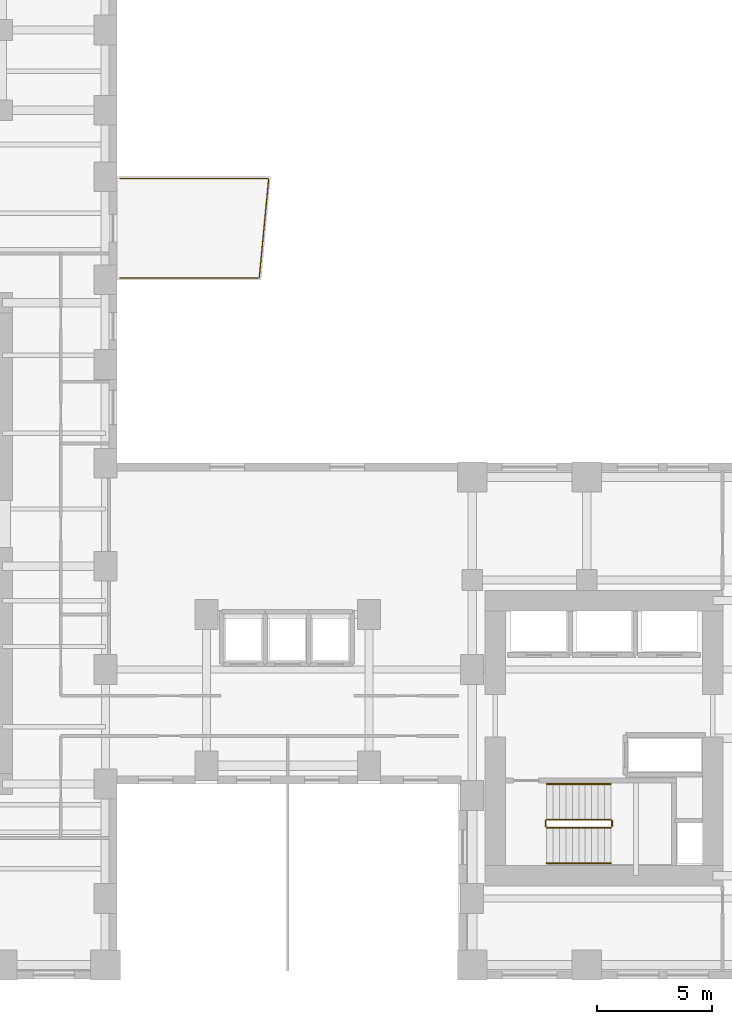
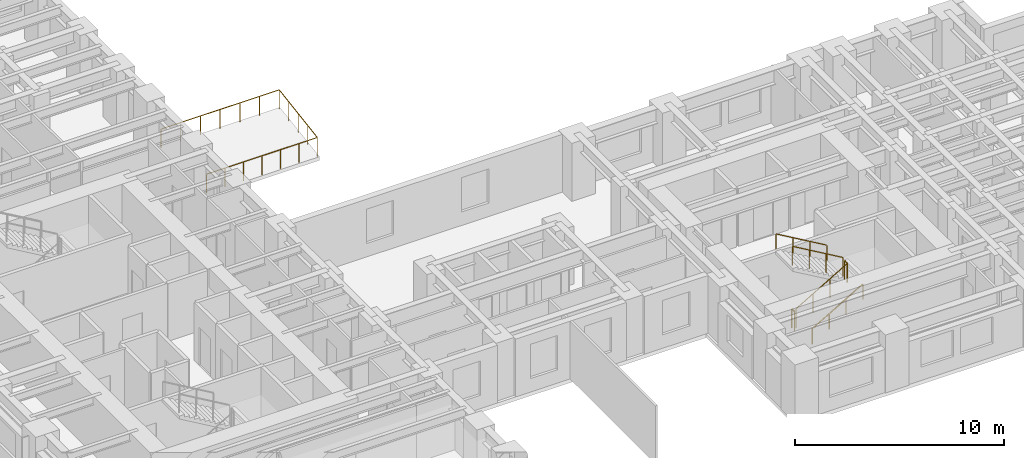
# One storey, part 11 of 11: 7 railings.
"""IFC4 building model written with IfcOpenShell, lengths in metres."""

from ifc_helpers import new_model, si_unit, direction, frame, origin, origin_2d, place, context, subcontext, project, spatial, circle, extrude, source, transform, mapped, material, layer, layer_set, type_object, element, save


model = new_model("IFC4")

# Units and contexts
model_context = context("Model", 3, precision=1e-05, world=origin(), true_north=direction((0.0, 1.0)))
body_context = subcontext(model_context, "Body", "Model", "MODEL_VIEW")
ifc_project = project(units=[si_unit("LENGTHUNIT", "METRE"), si_unit("AREAUNIT", "SQUARE_METRE"), si_unit("VOLUMEUNIT", "CUBIC_METRE"), si_unit("PLANEANGLEUNIT", "RADIAN"), si_unit("MASSUNIT", "GRAM", prefix="KILO")], contexts=[model_context])

# Site, building, storey
site_placement = place(None, origin())
site = spatial("IfcSite", under=ifc_project, at=site_placement, CompositionType="ELEMENT")
building_placement = place(site_placement, origin())
building = spatial("IfcBuilding", under=site, at=building_placement, Name="Kharzan Plaza Tower", CompositionType="ELEMENT")
storey_placement = place(building_placement, frame((0.0, 0.0, 40.5)))
storey = spatial("IfcBuildingStorey", under=building, at=storey_placement, Name="L10", CompositionType="ELEMENT", Elevation=40.5)

# Railings
ifc_material_1 = material(Name="Painted Galvanized Architectural Steel", Category="steel")
ifc_layer_1 = layer(ifc_material_1, 0.074951171875)
ifc_layer_set_1 = layer_set([ifc_layer_1], Name="Painted Galvanized Architectural Steel")
railing_type_1 = type_object("IfcRailingType", Name="RL-GUARD-1120", PredefinedType="BALUSTRADE", material=ifc_layer_set_1)
shared_shape_1 = source(origin(), body_context, "Body", "SweptSolid", [
    extrude(circle(Radius=0.02392578125, at=origin_2d()), frame((0.0, 0.0263671875, 1.09619140625), z_axis=(0.0, 1.0, 0.0), x_axis=(-1.0, 0.0, 0.0)), (0.0, 0.0, 1.0), 0.197021484375),
    extrude(circle(Radius=0.02099609375, at=origin_2d()), origin(), (0.0, 0.0, 1.0), 1.072021484375),
    extrude(circle(Radius=0.02099609375, at=origin_2d()), frame((0.0, 0.25, 0.0)), (0.0, 0.0, 1.0), 1.072021484375),
])
for number, where, name in (
    (1, (41.10009765625, 6.64990234375, 1.800048828125), "L10 ST-3 stair guard 2"),
    (2, (38.199951171875, 6.64990234375, 0.0), "L10 ST-3 stair guard 4"),
):
    element("IfcRailing", number, at=place(storey_placement, frame(where)), inside=storey, type_object=railing_type_1, Name=name, PredefinedType="BALUSTRADE", context=body_context, shape_type="MappedRepresentation", body=[
        mapped(shared_shape_1, transform((0.0, 0.0, 0.0), x_axis=(1.0, 0.0, 0.0), y_axis=(0.0, 1.0, 0.0), z_axis=(0.0, 0.0, 1.0))),
    ])
shared_shape_2 = source(origin(), body_context, "Body", "SweptSolid", [
    extrude(circle(Radius=0.02392578125, at=origin_2d()), frame((0.02294921875, 0.0, 1.109375), z_axis=(0.863360870873, 0.0, 0.504586966384), x_axis=(0.0, 1.0, 0.0)), (0.0, 0.0, 1.0), 3.190185546875),
    extrude(circle(Radius=0.02099609375, at=origin_2d()), origin(), (0.0, 0.0, 1.0), 1.072021484375),
    extrude(circle(Radius=0.02099609375, at=origin_2d()), frame((0.933349609375, 0.0, 0.54541015625)), (0.0, 0.0, 1.0), 1.072021484375),
    extrude(circle(Radius=0.02099609375, at=origin_2d()), frame((1.86669921875, 0.0, 1.091064453125)), (0.0, 0.0, 1.0), 1.072021484375),
    extrude(circle(Radius=0.02099609375, at=origin_2d()), frame((2.800048828125, 0.0, 1.636474609375)), (0.0, 0.0, 1.0), 1.072021484375),
])
railing_1_placement = place(storey_placement, frame((38.25, 6.60009765625, 0.16357421875)))
element("IfcRailing", 3, at=railing_1_placement, inside=storey, type_object=railing_type_1, Name="L10 ST-3 stair guard 1", PredefinedType="BALUSTRADE", context=body_context, shape_type="MappedRepresentation", body=[
    mapped(shared_shape_2, transform((0.0, 0.0, 0.0), x_axis=(1.0, 0.0, 0.0), y_axis=(0.0, 1.0, 0.0), z_axis=(0.0, 0.0, 1.0))),
])
shared_shape_3 = source(origin(), body_context, "Body", "SweptSolid", [
    extrude(circle(Radius=0.02392578125, at=origin_2d()), frame((-0.02294921875, 0.0, 1.109375), z_axis=(-0.863360870873, 0.0, 0.504586966384), x_axis=(0.0, -1.0, 0.0)), (0.0, 0.0, 1.0), 3.190185546875),
    extrude(circle(Radius=0.02099609375, at=origin_2d()), origin(), (0.0, 0.0, 1.0), 1.072021484375),
    extrude(circle(Radius=0.02099609375, at=origin_2d()), frame((-0.933349609375, 0.0, 0.54541015625)), (0.0, 0.0, 1.0), 1.072021484375),
    extrude(circle(Radius=0.02099609375, at=origin_2d()), frame((-1.86669921875, 0.0, 1.091064453125)), (0.0, 0.0, 1.0), 1.072021484375),
    extrude(circle(Radius=0.02099609375, at=origin_2d()), frame((-2.800048828125, 0.0, 1.636474609375)), (0.0, 0.0, 1.0), 1.072021484375),
])
railing_2_placement = place(storey_placement, frame((41.050048828125, 6.949951171875, 1.963623046875)))
element("IfcRailing", 4, at=railing_2_placement, inside=storey, type_object=railing_type_1, Name="L10 ST-3 stair guard 3", PredefinedType="BALUSTRADE", context=body_context, shape_type="MappedRepresentation", body=[
    mapped(shared_shape_3, transform((0.0, 0.0, 0.0), x_axis=(1.0, 0.0, 0.0), y_axis=(0.0, 1.0, 0.0), z_axis=(0.0, 0.0, 1.0))),
])
ifc_material_2 = material(Name="Brushed Stainless Steel", Category="steel")
ifc_layer_2 = layer(ifc_material_2, 0.050048828125)
ifc_layer_set_2 = layer_set([ifc_layer_2], Name="Brushed Stainless Steel")
railing_type_2 = type_object("IfcRailingType", Name="RL-STAIR-HR920", PredefinedType="HANDRAIL", material=ifc_layer_set_2)
shared_shape_4 = source(origin(), body_context, "Body", "SweptSolid", [
    extrude(circle(Radius=0.02392578125, at=origin_2d()), frame((0.02294921875, 0.0, 0.88916015625), z_axis=(0.863360870873, 0.0, 0.504586966384), x_axis=(0.0, 1.0, 0.0)), (0.0, 0.0, 1.0), 3.190185546875),
    extrude(circle(Radius=0.02099609375, at=origin_2d()), origin(), (0.0, 0.0, 1.0), 0.851806640625),
    extrude(circle(Radius=0.02099609375, at=origin_2d()), frame((0.933349609375, 0.0, 0.54541015625)), (0.0, 0.0, 1.0), 0.851806640625),
    extrude(circle(Radius=0.02099609375, at=origin_2d()), frame((1.86669921875, 0.0, 1.091064453125)), (0.0, 0.0, 1.0), 0.851806640625),
    extrude(circle(Radius=0.02099609375, at=origin_2d()), frame((2.800048828125, 0.0, 1.636474609375)), (0.0, 0.0, 1.0), 0.851806640625),
])
railing_3_placement = place(storey_placement, frame((38.25, 5.050048828125, 0.16357421875)))
element("IfcRailing", 5, at=railing_3_placement, inside=storey, type_object=railing_type_2, Name="L10 ST-3 stair handrail 1", PredefinedType="HANDRAIL", context=body_context, shape_type="MappedRepresentation", body=[
    mapped(shared_shape_4, transform((0.0, 0.0, 0.0), x_axis=(1.0, 0.0, 0.0), y_axis=(0.0, 1.0, 0.0), z_axis=(0.0, 0.0, 1.0))),
])
shared_shape_5 = source(origin(), body_context, "Body", "SweptSolid", [
    extrude(circle(Radius=0.02392578125, at=origin_2d()), frame((-0.02294921875, 0.0, 0.88916015625), z_axis=(-0.863360870873, 0.0, 0.504586966384), x_axis=(0.0, -1.0, 0.0)), (0.0, 0.0, 1.0), 3.190185546875),
    extrude(circle(Radius=0.02099609375, at=origin_2d()), origin(), (0.0, 0.0, 1.0), 0.851806640625),
    extrude(circle(Radius=0.02099609375, at=origin_2d()), frame((-0.933349609375, 0.0, 0.54541015625)), (0.0, 0.0, 1.0), 0.851806640625),
    extrude(circle(Radius=0.02099609375, at=origin_2d()), frame((-1.86669921875, 0.0, 1.091064453125)), (0.0, 0.0, 1.0), 0.851806640625),
    extrude(circle(Radius=0.02099609375, at=origin_2d()), frame((-2.800048828125, 0.0, 1.636474609375)), (0.0, 0.0, 1.0), 0.851806640625),
])
railing_4_placement = place(storey_placement, frame((41.050048828125, 8.5, 1.963623046875)))
element("IfcRailing", 6, at=railing_4_placement, inside=storey, type_object=railing_type_2, Name="L10 ST-3 stair handrail 2", PredefinedType="HANDRAIL", context=body_context, shape_type="MappedRepresentation", body=[
    mapped(shared_shape_5, transform((0.0, 0.0, 0.0), x_axis=(1.0, 0.0, 0.0), y_axis=(0.0, 1.0, 0.0), z_axis=(0.0, 0.0, 1.0))),
])
shared_shape_6 = source(origin(), body_context, "Body", "SweptSolid", [
    extrude(circle(Radius=0.02392578125, at=origin_2d()), frame((0.0263671875, 0.0, 1.09619140625), z_axis=(1.0, 0.0, 0.0), x_axis=(0.0, 1.0, 0.0)), (0.0, 0.0, 1.0), 6.056884765625),
    extrude(circle(Radius=0.02392578125, at=origin_2d()), frame((6.1123046875, 0.0263671875, 1.09619140625), z_axis=(0.094090176669, 0.995563678855, 0.0), x_axis=(-0.995563678855, 0.094090176669, 0.0)), (0.0, 0.0, 1.0), 4.306396484375),
    extrude(circle(Radius=0.02392578125, at=origin_2d()), frame((6.49365234375, 4.33984375, 1.09619140625), z_axis=(-1.0, 0.0, 0.0), x_axis=(0.0, -1.0, 0.0)), (0.0, 0.0, 1.0), 6.467041015625),
    extrude(circle(Radius=0.02099609375, at=origin_2d()), origin(), (0.0, 0.0, 1.0), 1.072021484375),
    extrude(circle(Radius=0.02099609375, at=origin_2d()), frame((1.018310546875, 0.0, 0.0)), (0.0, 0.0, 1.0), 1.072021484375),
    extrude(circle(Radius=0.02099609375, at=origin_2d()), frame((2.03662109375, 0.0, 0.0)), (0.0, 0.0, 1.0), 1.072021484375),
    extrude(circle(Radius=0.02099609375, at=origin_2d()), frame((3.054931640625, 0.0, 0.0)), (0.0, 0.0, 1.0), 1.072021484375),
    extrude(circle(Radius=0.02099609375, at=origin_2d()), frame((4.0732421875, 0.0, 0.0)), (0.0, 0.0, 1.0), 1.072021484375),
    extrude(circle(Radius=0.02099609375, at=origin_2d()), frame((5.091552734375, 0.0, 0.0)), (0.0, 0.0, 1.0), 1.072021484375),
    extrude(circle(Radius=0.02099609375, at=origin_2d()), frame((6.10986328125, 0.0, 0.0)), (0.0, 0.0, 1.0), 1.072021484375),
    extrude(circle(Radius=0.02099609375, at=origin_2d()), frame((6.21240234375, 1.0849609375, 0.0)), (0.0, 0.0, 1.0), 1.072021484375),
    extrude(circle(Radius=0.02099609375, at=origin_2d()), frame((6.31494140625, 2.169921875, 0.0)), (0.0, 0.0, 1.0), 1.072021484375),
    extrude(circle(Radius=0.02099609375, at=origin_2d()), frame((6.41748046875, 3.2548828125, 0.0)), (0.0, 0.0, 1.0), 1.072021484375),
    extrude(circle(Radius=0.02099609375, at=origin_2d()), frame((6.52001953125, 4.33984375, 0.0)), (0.0, 0.0, 1.0), 1.072021484375),
    extrude(circle(Radius=0.02099609375, at=origin_2d()), frame((5.433349609375, 4.33984375, 0.0)), (0.0, 0.0, 1.0), 1.072021484375),
    extrude(circle(Radius=0.02099609375, at=origin_2d()), frame((4.3466796875, 4.33984375, 0.0)), (0.0, 0.0, 1.0), 1.072021484375),
    extrude(circle(Radius=0.02099609375, at=origin_2d()), frame((3.260009765625, 4.33984375, 0.0)), (0.0, 0.0, 1.0), 1.072021484375),
    extrude(circle(Radius=0.02099609375, at=origin_2d()), frame((2.17333984375, 4.33984375, 0.0)), (0.0, 0.0, 1.0), 1.072021484375),
    extrude(circle(Radius=0.02099609375, at=origin_2d()), frame((1.086669921875, 4.33984375, 0.0)), (0.0, 0.0, 1.0), 1.072021484375),
    extrude(circle(Radius=0.02099609375, at=origin_2d()), frame((0.0, 4.33984375, 0.0)), (0.0, 0.0, 1.0), 1.072021484375),
])
railing_5_placement = place(storey_placement, frame((19.60009765625, 30.580078125, 0.0)))
element("IfcRailing", 7, at=railing_5_placement, inside=storey, type_object=railing_type_1, Name="L10 Cantilevered Sky-Terrace Tray Balustrade", PredefinedType="BALUSTRADE", context=body_context, shape_type="MappedRepresentation", body=[
    mapped(shared_shape_6, transform((0.0, 0.0, 0.0), x_axis=(1.0, 0.0, 0.0), y_axis=(0.0, 1.0, 0.0), z_axis=(0.0, 0.0, 1.0))),
])

save(model, "model.ifc")
